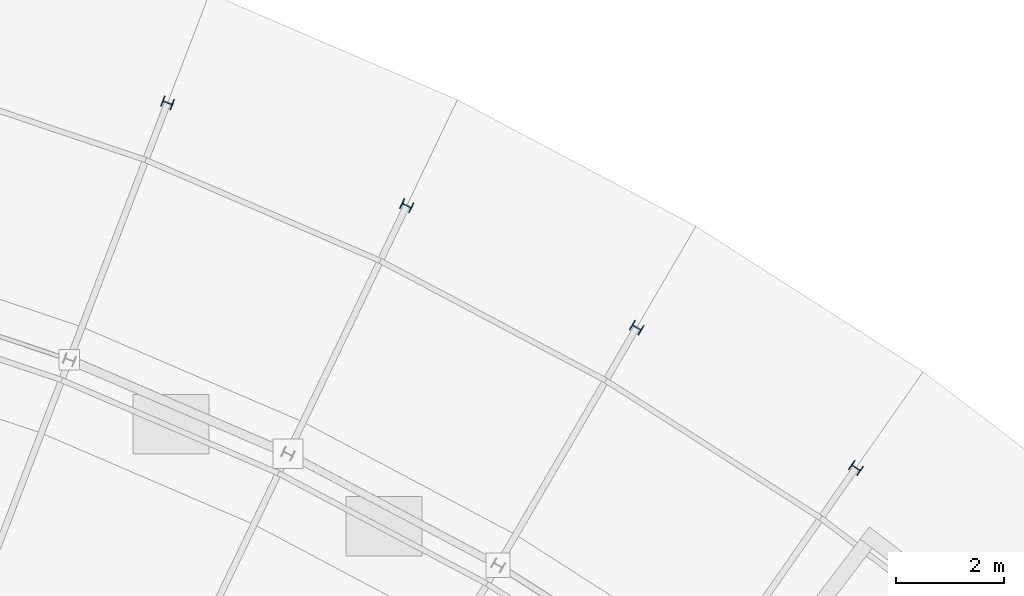
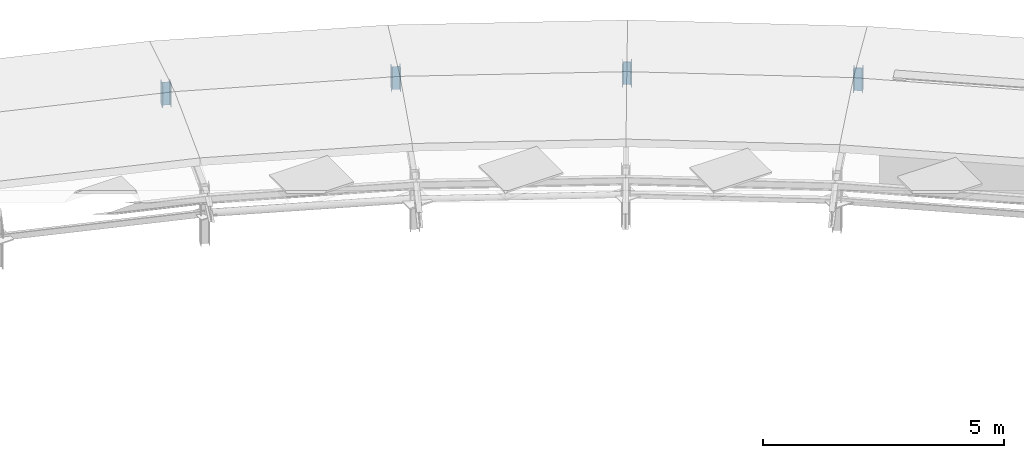
# One storey, part 6 of 20: 4 columns.
"""IFC4 building model written with IfcOpenShell, lengths in metres."""

from ifc_helpers import new_model, si_unit, direction, frame, origin, origin_2d, place, context, subcontext, project, spatial, i_section, extrude, material, material_profile, profile_set, type_object, element, save


model = new_model("IFC4")

# Units and contexts
model_context = context("Model", 3, precision=1e-05, world=origin(), true_north=direction((0.0, 1.0)))
body_context = subcontext(model_context, "Body", "Model", "MODEL_VIEW")
ifc_project = project(units=[si_unit("LENGTHUNIT", "METRE"), si_unit("AREAUNIT", "SQUARE_METRE"), si_unit("VOLUMEUNIT", "CUBIC_METRE"), si_unit("PLANEANGLEUNIT", "RADIAN"), si_unit("MASSUNIT", "GRAM", prefix="KILO")], contexts=[model_context])

# Site, building, storey
site_placement = place(None, origin())
site = spatial("IfcSite", under=ifc_project, at=site_placement, CompositionType="ELEMENT")
building_placement = place(site_placement, origin())
building = spatial("IfcBuilding", under=site, at=building_placement, Name="Zimvara Arc Housing Community", CompositionType="ELEMENT")
storey_placement = place(building_placement, frame((0.0, 0.0, 39.10009765625)))
storey = spatial("IfcBuildingStorey", under=building, at=storey_placement, Name="L12", CompositionType="ELEMENT", Elevation=39.10009765625)

# Columns
ifc_material = material(Name="Steel S355", Category="steel")
ifc_material_profile = material_profile(ifc_material, i_section(OverallWidth=0.199951171875, OverallDepth=0.199951171875, WebThickness=0.009033203125, FlangeThickness=0.014892578125, FilletRadius=0.01806640625, at=origin_2d()), Name="HEB 200")
ifc_profile_set = profile_set([ifc_material_profile], Name="Steel S355")
column_type = type_object("IfcColumnType", Name="COL-ST-HEB200", PredefinedType="COLUMN", material=ifc_profile_set)
for number, where, z_axis, x_axis, name in (
    (1, (66.02392578125, 99.49853515625, 0.0), (0.0, 0.0, 1.0), (0.357064076459, 0.934079892355, 0.0), "col:blkB:L12:ribpost3:g4"),
    (2, (70.441162109375, 97.599853515625, 0.0), (0.0, 0.0, 1.0), (0.432085748802, 0.901832526405, 0.0), "col:blkB:L12:ribpost3:g5"),
    (3, (74.688720703125, 95.34716796875, 0.0), (0.0, 0.0, 1.0), (0.504226211181, 0.863571611366, 0.0), "col:blkB:L12:ribpost3:g6"),
    (4, (78.738525390625, 92.755126953125, 0.0), (0.0, 0.0, 1.0), (0.573004420611, 0.819552276527, 0.0), "col:blkB:L12:ribpost3:g7"),
):
    element("IfcColumn", number, at=place(storey_placement, frame(where, z_axis=z_axis, x_axis=x_axis)), inside=storey, type_object=column_type, Name=name, PredefinedType="COLUMN", context=body_context, shape_type="SweptSolid", body=[
        extrude(i_section(OverallWidth=0.199951171875, OverallDepth=0.199951171875, WebThickness=0.009033203125, FlangeThickness=0.014892578125, FilletRadius=0.01806640625, at=origin_2d()), origin(), (0.0, 0.0, 1.0), 0.58251953125),
    ])

save(model, "model.ifc")
